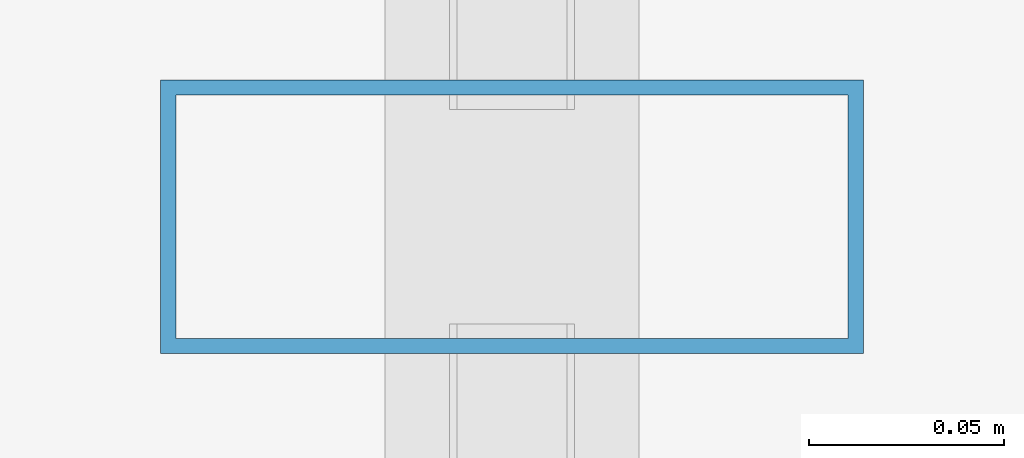
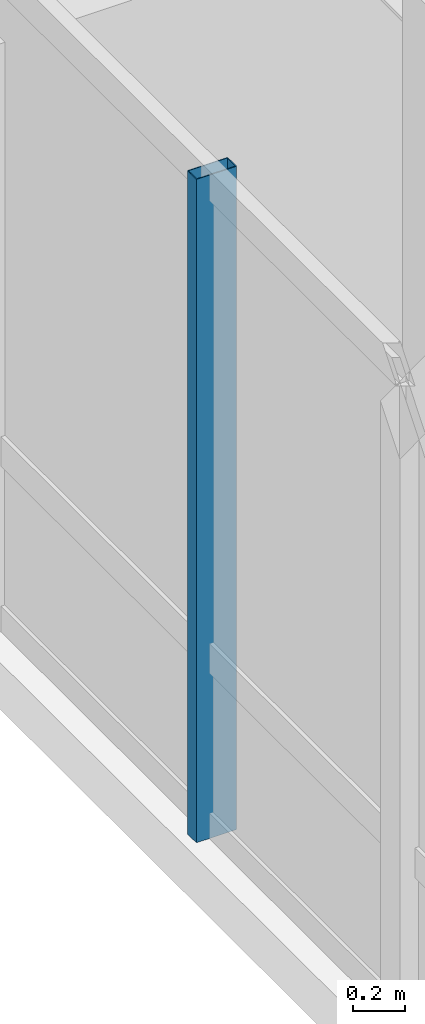
# One storey, part 12 of 32: 1 member, 1 element without a shape of its own.
"""IFC4 building model written with IfcOpenShell, lengths in metres."""

from ifc_helpers import new_model, si_unit, direction, frame, origin, origin_2d, place, context, subcontext, project, spatial, hollow_rectangle, extrude, material, layer, layer_set, material_profile, profile_set, type_object, element, aggregate, save


model = new_model("IFC4")

# Units and contexts
model_context = context("Model", 3, precision=1e-05, world=origin(), true_north=direction((0.0, 1.0)))
body_context = subcontext(model_context, "Body", "Model", "MODEL_VIEW")
ifc_project = project(units=[si_unit("LENGTHUNIT", "METRE"), si_unit("AREAUNIT", "SQUARE_METRE"), si_unit("VOLUMEUNIT", "CUBIC_METRE"), si_unit("PLANEANGLEUNIT", "RADIAN"), si_unit("MASSUNIT", "GRAM", prefix="KILO")], contexts=[model_context])

# Site, building, storey
site_placement = place(None, origin())
site = spatial("IfcSite", under=ifc_project, at=site_placement, CompositionType="ELEMENT")
building_placement = place(site_placement, origin())
building = spatial("IfcBuilding", under=site, at=building_placement, Name="Hatsunagi Terrace Concourse", CompositionType="ELEMENT")
storey_placement = place(building_placement, frame((0.0, 0.0, 46.64990234375)))
storey = spatial("IfcBuildingStorey", under=building, at=storey_placement, Name="L11", CompositionType="ELEMENT", Elevation=46.64990234375)

# Curtain wall, member
ifc_material_1 = material(Name="Anodised Aluminium Alloy 6063-T5", Category="aluminium")
ifc_layer = layer(ifc_material_1, 0.199951171875)
ifc_layer_set = layer_set([ifc_layer], Name="HotelFacade_CW02")
curtain_wall_type = type_object("IfcCurtainWallType", Name="HotelFacade_CW02", PredefinedType="NOTDEFINED", material=ifc_layer_set)
curtain_wall_placement = place(storey_placement, origin())
curtain_wall = element("IfcCurtainWall", 1, at=curtain_wall_placement, inside=storey, type_object=curtain_wall_type, Name="Unitised Curtain Wall CW-02 CW-L11-09", PredefinedType="NOTDEFINED")
ifc_material_2 = material(Name="Anodised Aluminium Alloy 6063-T5", Category="aluminium")
ifc_material_profile = material_profile(ifc_material_2, hollow_rectangle(XDim=0.070068359375, YDim=0.179931640625, WallThickness=0.00390625, at=origin_2d()), Name="ALU-MUL-180x70x4")
ifc_profile_set = profile_set([ifc_material_profile], Name="Anodised Aluminium Alloy 6063-T5")
member_type = type_object("IfcMemberType", Name="CurtainWallMullion_180x70", PredefinedType="MULLION", material=ifc_profile_set)
member_placement = place(storey_placement, frame((0.139892578125, 36.89990234375, 0.0), z_axis=(0.0, 0.0, 1.0), x_axis=(0.0, 1.0, 0.0)))
member = element("IfcMember", 2, at=member_placement, type_object=member_type, Name="Curtain Wall Mullion MUL-02", PredefinedType="MULLION", context=body_context, shape_type="SweptSolid", body=[
    extrude(hollow_rectangle(XDim=0.070068359375, YDim=0.179931640625, WallThickness=0.00390625, at=origin_2d()), origin(), (0.0, 0.0, 1.0), 3.130126953125),
])
aggregate(curtain_wall, [member])

save(model, "model.ifc")
